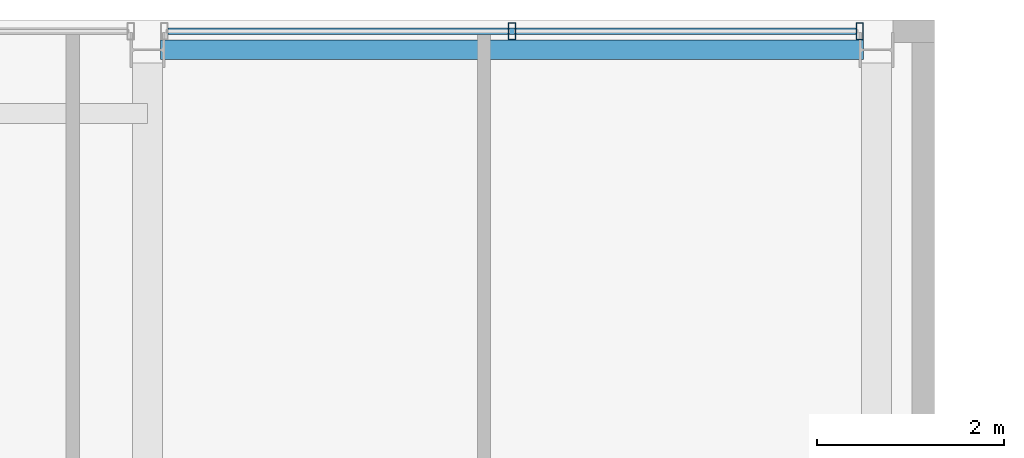
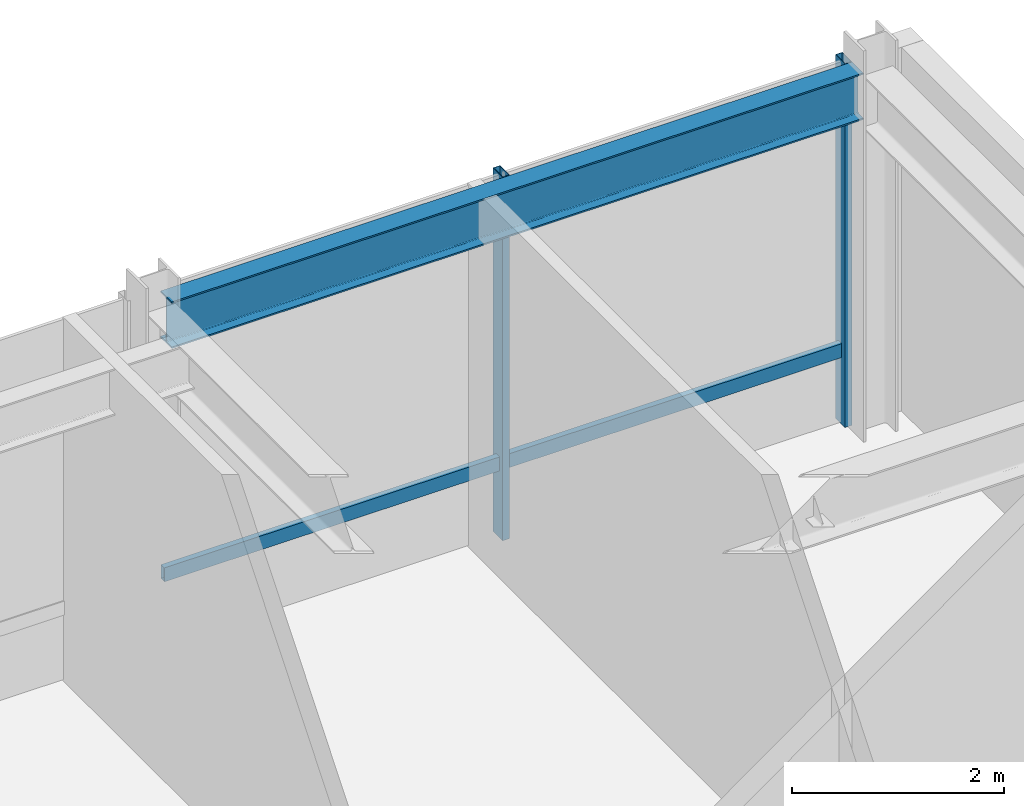
# One storey, part 25 of 32: 3 members, 1 beam, 1 element without a shape of its own.
"""IFC4 building model written with IfcOpenShell, lengths in metres."""

from ifc_helpers import new_model, si_unit, direction, frame, origin, origin_2d, place, context, subcontext, project, spatial, hollow_rectangle, i_section, extrude, material, layer, layer_set, material_profile, profile_set, type_object, element, aggregate, save


model = new_model("IFC4")

# Units and contexts
model_context = context("Model", 3, precision=1e-05, world=origin(), true_north=direction((0.0, 1.0)))
body_context = subcontext(model_context, "Body", "Model", "MODEL_VIEW")
ifc_project = project(units=[si_unit("LENGTHUNIT", "METRE"), si_unit("AREAUNIT", "SQUARE_METRE"), si_unit("VOLUMEUNIT", "CUBIC_METRE"), si_unit("PLANEANGLEUNIT", "RADIAN"), si_unit("MASSUNIT", "GRAM", prefix="KILO")], contexts=[model_context])

# Site, building, storey
site_placement = place(None, origin())
site = spatial("IfcSite", under=ifc_project, at=site_placement, CompositionType="ELEMENT")
building_placement = place(site_placement, origin())
building = spatial("IfcBuilding", under=site, at=building_placement, Name="Drelvath Grand Hotel", CompositionType="ELEMENT")
storey_placement = place(building_placement, frame((0.0, 0.0, 255.5)))
storey = spatial("IfcBuildingStorey", under=building, at=storey_placement, Name="L67", CompositionType="ELEMENT", Elevation=255.5)

# Curtain wall, members
ifc_material_1 = material(Name="Platinum-Mist Anodised Aluminium Frame", Category="aluminium")
ifc_layer = layer(ifc_material_1, 0.199951171875)
ifc_layer_set = layer_set([ifc_layer], Name="Platinum-Mist Anodised Aluminium Frame")
curtain_wall_type = type_object("IfcCurtainWallType", Name="Stick Curtain Wall CW-05 Platinum Mist High-Rise", PredefinedType="NOTDEFINED", material=ifc_layer_set)
curtain_wall_placement = place(storey_placement, origin())
curtain_wall = element("IfcCurtainWall", 1, at=curtain_wall_placement, inside=storey, type_object=curtain_wall_type, Name="L67 CW-05 Curtain Wall CW05-L67-NE2", PredefinedType="NOTDEFINED")
ifc_material_profile_1 = material_profile(ifc_material_1, hollow_rectangle(XDim=0.06494140625, YDim=0.159912109375, WallThickness=0.00390625, at=origin_2d()), Name="HSS160X65X4")
ifc_profile_set_1 = profile_set([ifc_material_profile_1], Name="Platinum-Mist Anodised Aluminium Frame")
member_type_1 = type_object("IfcMemberType", Name="Curtain Wall Horizontal Transom CW-05 HSS160X65X4", PredefinedType="USERDEFINED", material=ifc_profile_set_1)
member_1_placement = place(storey_placement, frame((8.6181640625, 49.080078125, 0.85009765625), z_axis=(1.0, 0.0, 0.0), x_axis=(0.0, 1.0, 0.0)))
member_1 = element("IfcMember", 2, at=member_1_placement, type_object=member_type_1, Name="CW05-L67-NE2 Sill Transom", ObjectType="TRANSOM", PredefinedType="USERDEFINED", context=body_context, shape_type="SweptSolid", body=[
    extrude(hollow_rectangle(XDim=0.06494140625, YDim=0.159912109375, WallThickness=0.00390625, at=origin_2d()), origin(), (0.0, 0.0, 1.0), 7.363525390625),
])
ifc_material_profile_2 = material_profile(ifc_material_1, hollow_rectangle(XDim=0.074951171875, YDim=0.179931640625, WallThickness=0.0048828125, at=origin_2d()), Name="HSS180X75X5")
ifc_profile_set_2 = profile_set([ifc_material_profile_2], Name="Platinum-Mist Anodised Aluminium Frame")
member_type_2 = type_object("IfcMemberType", Name="Curtain Wall Vertical Mullion CW-05 HSS180X75X5", PredefinedType="MULLION", material=ifc_profile_set_2)
member_2_placement = place(storey_placement, frame((12.300048828125, 49.080078125, 0.0), z_axis=(0.0, 0.0, 1.0), x_axis=(1.0, 0.0, 0.0)))
member_2 = element("IfcMember", 3, at=member_2_placement, type_object=member_type_2, Name="CW05-L67-NE2 Mullion 2", PredefinedType="MULLION", context=body_context, shape_type="SweptSolid", body=[
    extrude(hollow_rectangle(XDim=0.074951171875, YDim=0.179931640625, WallThickness=0.0048828125, at=origin_2d()), origin(), (0.0, 0.0, 1.0), 4.179931640625),
])
member_3_placement = place(storey_placement, frame((16.021728515625, 49.080078125, 0.0), z_axis=(0.0, 0.0, 1.0), x_axis=(1.0, 0.0, 0.0)))
member_3 = element("IfcMember", 4, at=member_3_placement, type_object=member_type_2, Name="CW05-L67-NE2 Mullion 3", PredefinedType="MULLION", context=body_context, shape_type="SweptSolid", body=[
    extrude(hollow_rectangle(XDim=0.074951171875, YDim=0.179931640625, WallThickness=0.0048828125, at=origin_2d()), origin(), (0.0, 0.0, 1.0), 4.179931640625),
])
aggregate(curtain_wall, [member_2, member_3, member_1])

# Beam
ifc_material_2 = material(Name="Steel ASTM A992 Gr 50", Category="steel")
ifc_material_profile_3 = material_profile(ifc_material_2, i_section(OverallWidth=0.210205078125, OverallDepth=0.53662109375, WebThickness=0.010986328125, FlangeThickness=0.017333984375, FilletRadius=0.01806640625, at=origin_2d()), Name="W21X68")
ifc_profile_set_3 = profile_set([ifc_material_profile_3], Name="Steel ASTM A992 Gr 50")
beam_type = type_object("IfcBeamType", Name="Perimeter Spandrel Beam W21X68", PredefinedType="SPANDREL", material=ifc_profile_set_3)
beam_placement = place(storey_placement, frame((8.5400390625, 48.8798828125, 3.91162109375), z_axis=(1.0, 0.0, 0.0), x_axis=(0.0, 1.0, 0.0)))
element("IfcBeam", 5, at=beam_placement, inside=storey, type_object=beam_type, Name="L67 Spandrel North E", PredefinedType="SPANDREL", context=body_context, shape_type="SweptSolid", body=[
    extrude(i_section(OverallWidth=0.210205078125, OverallDepth=0.53662109375, WebThickness=0.010986328125, FlangeThickness=0.017333984375, FilletRadius=0.01806640625, at=origin_2d()), origin(), (0.0, 0.0, 1.0), 7.52001953125),
])

save(model, "model.ifc")
